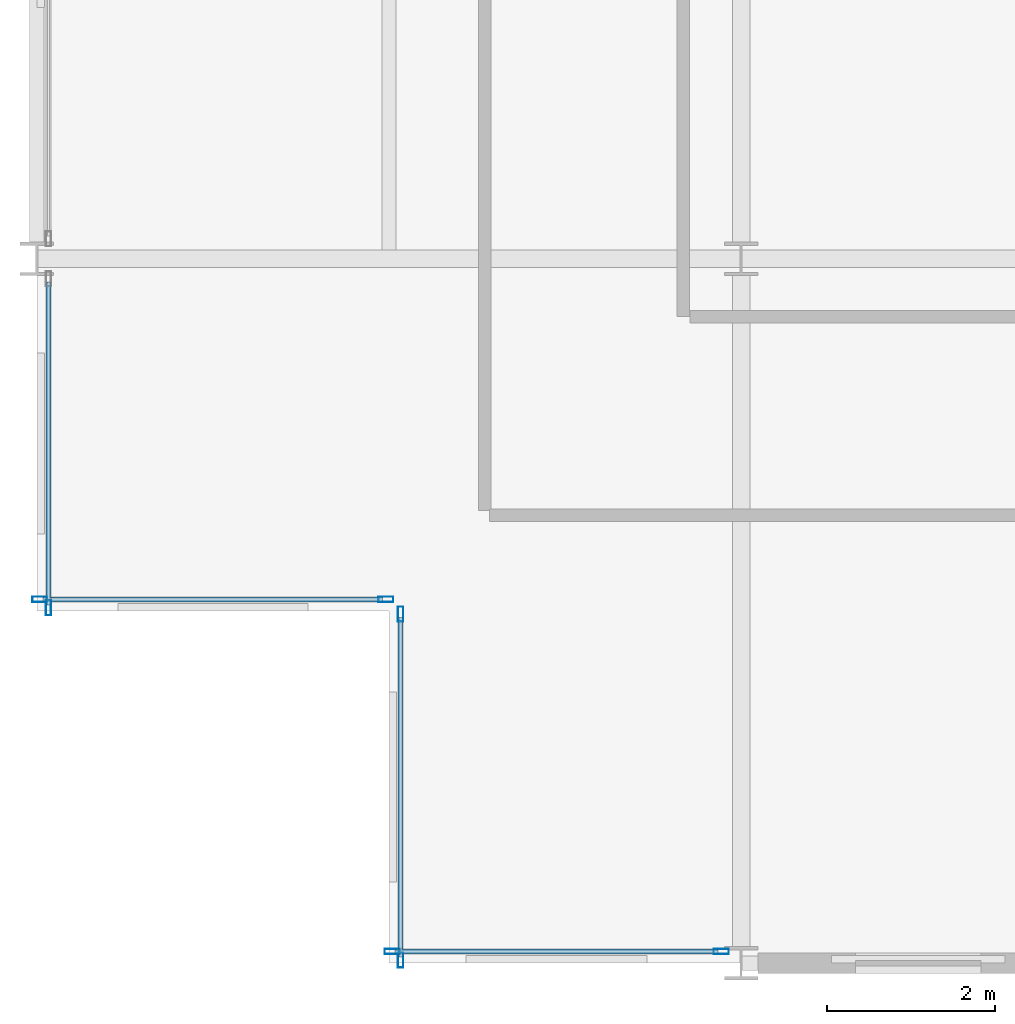
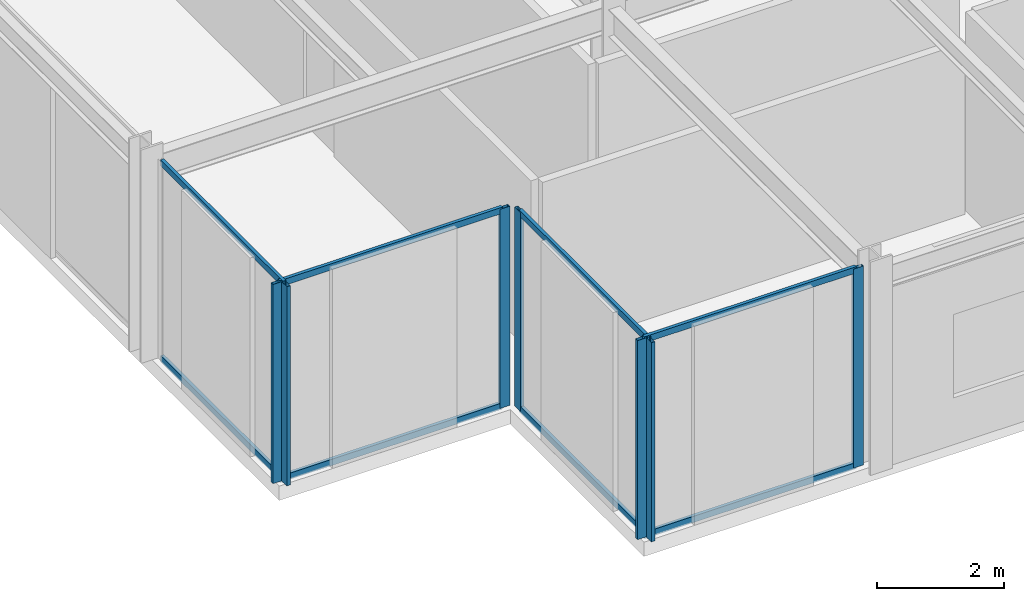
# One storey, part 2 of 29: 15 members, 4 elements without a shape of their own.
"""IFC4 building model written with IfcOpenShell, lengths in metres."""

import ifcopenshell
import ifcopenshell.guid

model = None  # the IFC model being written
_history = None  # IfcOwnerHistory: only IFC2X3 demands one
_inside = {}  # id of a spatial element -> (the spatial element, [elements in it])
_under = {}  # id of a project, library or spatial element -> (it, [spatial elements below it])
_declared = {}  # id of a project -> (the project, [libraries it declares])
_typed = {}  # id of a type object -> (the type object, [elements of that type])
_made_of = {}  # id of a material, layer set ... -> (it, [elements and type objects made of it])


def new_model(schema):
    """Start an empty IFC model of exactly this schema.

    Asked for "IFC4X3", IfcOpenShell would pick the latest addendum, in which some entities
    have other attributes; the version numbers below select the first issue.
    IFC2X3 requires an IfcOwnerHistory on every rooted entity: one is made here for all.
    """
    global model, _history
    if schema == "IFC4X3":
        model = ifcopenshell.file(schema_version=(4, 3, 0, 0))
    else:
        model = ifcopenshell.file(schema=schema)
    _inside.clear()
    _under.clear()
    _declared.clear()
    _typed.clear()
    _made_of.clear()
    _history = None
    if model.schema == "IFC2X3":
        org = make("IfcOrganization", Name="unknown")
        user = make(
            "IfcPersonAndOrganization",
            ThePerson=make("IfcPerson", FamilyName="unknown"),
            TheOrganization=org,
        )
        app = make(
            "IfcApplication",
            ApplicationDeveloper=org,
            Version="unknown",
            ApplicationFullName="unknown",
            ApplicationIdentifier="unknown",
        )
        _history = make(
            "IfcOwnerHistory",
            OwningUser=user,
            OwningApplication=app,
            ChangeAction="ADDED",
            CreationDate=0,
        )
    return model


def make(cls, **values):
    """One entity of the class cls with the attributes given. An attribute that is None is left unset."""
    return model.create_entity(
        cls, **{name: value for name, value in values.items() if value is not None}
    )


def rooted(cls, **values):
    """An entity with a GlobalId (a new one), such as an element, a storey or a relation."""
    return make(cls, GlobalId=ifcopenshell.guid.new(), OwnerHistory=_history, **values)


def si_unit(unit_type, name, prefix=None):
    """IfcSIUnit, for example si_unit("LENGTHUNIT", "METRE", prefix="MILLI")."""
    return make("IfcSIUnit", UnitType=unit_type, Prefix=prefix, Name=name)


def assignment(units):
    """IfcUnitAssignment: the units of a project."""
    return None if units is None else make("IfcUnitAssignment", Units=units)


def point(xyz):
    """IfcCartesianPoint."""
    return None if xyz is None else make("IfcCartesianPoint", Coordinates=xyz)


def direction(xyz):
    """IfcDirection."""
    return None if xyz is None else make("IfcDirection", DirectionRatios=xyz)


def frame(location, z_axis=None, x_axis=None):
    """IfcAxis2Placement3D, a coordinate frame: its origin and axes. An axis left out is left unset."""
    return make(
        "IfcAxis2Placement3D",
        Location=point(location),
        Axis=direction(z_axis),
        RefDirection=direction(x_axis),
    )


def frame_2d(location, x_axis=None):
    """IfcAxis2Placement2D, a coordinate frame in the plane: its origin and x axis."""
    return make(
        "IfcAxis2Placement2D", Location=point(location), RefDirection=direction(x_axis)
    )


def origin():
    """The frame at (0, 0, 0) with its axes left unset."""
    return frame((0.0, 0.0, 0.0))


def origin_2d():
    """The frame at (0, 0) in the plane with its x axis left unset."""
    return frame_2d((0.0, 0.0))


def place(relative_to, where):
    """IfcLocalPlacement: puts the frame where relative to a parent placement (None: the world)."""
    return make(
        "IfcLocalPlacement", PlacementRelTo=relative_to, RelativePlacement=where
    )


def context(
    kind, dimensions, precision=None, world=None, true_north=None, identifier=None
):
    """IfcGeometricRepresentationContext, for example the 3D "Model" context."""
    return make(
        "IfcGeometricRepresentationContext",
        ContextIdentifier=identifier,
        ContextType=kind,
        CoordinateSpaceDimension=dimensions,
        Precision=precision,
        WorldCoordinateSystem=world,
        TrueNorth=true_north,
    )


def subcontext(parent, identifier, kind, view, scale=None):
    """IfcGeometricRepresentationSubContext, for example "Body" below "Model"."""
    return make(
        "IfcGeometricRepresentationSubContext",
        ContextIdentifier=identifier,
        ContextType=kind,
        ParentContext=parent,
        TargetScale=scale,
        TargetView=view,
    )


def project(units=None, contexts=None):
    """IfcProject with its units and contexts."""
    return rooted(
        "IfcProject",
        Name="project",
        RepresentationContexts=contexts,
        UnitsInContext=assignment(units),
    )


def spatial(cls, under=None, at=None, **own):
    """A site, building, storey or space (cls), placed at a placement, below another one or the project."""
    s = rooted(cls, ObjectPlacement=at, **own)
    if under is not None:
        _under.setdefault(under.id(), (under, []))[1].append(s)
    return s


def profile(cls, at=None, kind="AREA", **sizes):
    """A parametric profile (cls). Its sizes go by their IFC names, for example OverallWidth=200.0."""
    return make(cls, ProfileType=kind, Position=at, **sizes)


def hollow_rectangle(**sizes):
    """IfcRectangleHollowProfileDef."""
    return profile("IfcRectangleHollowProfileDef", **sizes)


def extrude(swept, where, along, depth):
    """IfcExtrudedAreaSolid: the profile swept, set in the frame where, extruded along a direction by depth."""
    return make(
        "IfcExtrudedAreaSolid",
        SweptArea=swept,
        Position=where,
        ExtrudedDirection=direction(along),
        Depth=depth,
    )


def shape(context_of_items, identifier, shape_type, items):
    """IfcShapeRepresentation: the items that make up one representation, for example the "Body"."""
    return make(
        "IfcShapeRepresentation",
        ContextOfItems=context_of_items,
        RepresentationIdentifier=identifier,
        RepresentationType=shape_type,
        Items=items,
    )


def material(Name=None, Category=None):
    """IfcMaterial."""
    return make("IfcMaterial", Name=Name, Category=Category)


def layer(
    of_material, thickness, ventilated=None, Name=None, Category=None, Priority=None
):
    """IfcMaterialLayer: one layer of a wall or slab, of a material (None: an air gap)."""
    return make(
        "IfcMaterialLayer",
        Material=of_material,
        LayerThickness=thickness,
        IsVentilated=ventilated,
        Name=Name,
        Category=Category,
        Priority=Priority,
    )


def layer_set(layers, Name=None):
    """IfcMaterialLayerSet."""
    return make("IfcMaterialLayerSet", MaterialLayers=layers, LayerSetName=Name)


def material_profile(
    of_material, cross_section, Name=None, Category=None, Priority=None
):
    """IfcMaterialProfile: a cross section and its material."""
    return make(
        "IfcMaterialProfile",
        Name=Name,
        Material=of_material,
        Profile=cross_section,
        Priority=Priority,
        Category=Category,
    )


def profile_set(profiles, Name=None, composite=None):
    """IfcMaterialProfileSet."""
    return make(
        "IfcMaterialProfileSet",
        Name=Name,
        MaterialProfiles=profiles,
        CompositeProfile=composite,
    )


def made_of(thing, what):
    """Note that an element or type object is made of a material, layer set ...; save() writes the relation."""
    if what is not None:
        _made_of.setdefault(what.id(), (what, []))[1].append(thing)
    return thing


def type_object(cls, material=None, **own):
    """A type object (cls), such as IfcWallType, which elements share."""
    return made_of(rooted(cls, **own), material)


def element(
    cls,
    number,
    at=None,
    inside=None,
    cuts=None,
    type_object=None,
    material=None,
    context=None,
    identifier="Body",
    shape_type=None,
    held_by="IfcProductDefinitionShape",
    body=None,
    shapes=None,
    **own,
):
    """One element of the class cls, such as IfcWall. Its Tag is "e" and its number.

    at: its placement. inside: the storey or other place that contains it. cuts: it is an
    opening in that element (IfcRelVoidsElement). A single representation is given by context,
    identifier, shape_type and body (its items); several are given by shapes. held_by: the class
    of the entity that holds the representations. save() writes the other relations.
    """
    e = rooted(cls, Tag="e%d" % number, ObjectPlacement=at, **own)
    if body is not None:
        shapes = [shape(context, identifier, shape_type, body)]
    if shapes is not None:
        e.Representation = make(held_by, Representations=shapes)
    if inside is not None:
        _inside.setdefault(inside.id(), (inside, []))[1].append(e)
    if cuts is not None:
        rooted(
            "IfcRelVoidsElement", RelatingBuildingElement=cuts, RelatedOpeningElement=e
        )
    if type_object is not None:
        _typed.setdefault(type_object.id(), (type_object, []))[1].append(e)
    return made_of(e, material)


def aggregate(whole, parts):
    """IfcRelAggregates: a whole, such as a stair, and the parts it consists of."""
    return rooted("IfcRelAggregates", RelatingObject=whole, RelatedObjects=parts)


def save(model, path):
    """Write the relations noted so far, then the file.

    IfcRelAggregates (storeys below a building ...), IfcRelContainedInSpatialStructure (elements
    in a storey), IfcRelDefinesByType, IfcRelAssociatesMaterial and IfcRelDeclares: one each for
    every whole, place, type object, material and project.
    """
    for whole, parts in _under.values():
        aggregate(whole, parts)
    for where, things in _inside.values():
        rooted(
            "IfcRelContainedInSpatialStructure",
            RelatedElements=things,
            RelatingStructure=where,
        )
    for kind, things in _typed.values():
        rooted("IfcRelDefinesByType", RelatedObjects=things, RelatingType=kind)
    for what, things in _made_of.values():
        rooted("IfcRelAssociatesMaterial", RelatedObjects=things, RelatingMaterial=what)
    for by, libraries in _declared.values():
        rooted("IfcRelDeclares", RelatingContext=by, RelatedDefinitions=libraries)
    model.write(path)


model = new_model("IFC4")

# Units and contexts
model_context = context("Model", 3, precision=1e-05, world=origin(), true_north=direction((0.0, 1.0)))
body_context = subcontext(model_context, "Body", "Model", "MODEL_VIEW")
ifc_project = project(units=[si_unit("LENGTHUNIT", "METRE"), si_unit("AREAUNIT", "SQUARE_METRE"), si_unit("VOLUMEUNIT", "CUBIC_METRE"), si_unit("PLANEANGLEUNIT", "RADIAN"), si_unit("MASSUNIT", "GRAM", prefix="KILO")], contexts=[model_context])

# Site, building, storey
site_placement = place(None, origin())
site = spatial("IfcSite", under=ifc_project, at=site_placement, CompositionType="ELEMENT")
building_placement = place(site_placement, origin())
building = spatial("IfcBuilding", under=site, at=building_placement, Name="Nerrivon Quay Data Exchange", CompositionType="ELEMENT")
storey_placement = place(building_placement, frame((0.0, 0.0, 121.300048828125)))
storey = spatial("IfcBuildingStorey", under=building, at=storey_placement, Name="L28", CompositionType="ELEMENT", Elevation=121.300048828125)

# Curtain wall, members
ifc_material = material(Name="Anodised aluminium 6063-T6", Category="aluminium")
ifc_layer = layer(ifc_material, 0.2099609375)
ifc_layer_set = layer_set([ifc_layer], Name="Anodised aluminium 6063-T6")
curtain_wall_type = type_object("IfcCurtainWallType", Name="CW-SYS-02", PredefinedType="NOTDEFINED", material=ifc_layer_set)
curtain_wall_1_placement = place(storey_placement, origin())
curtain_wall_1 = element("IfcCurtainWall", 1, at=curtain_wall_1_placement, inside=storey, type_object=curtain_wall_type, Name="L28 Unitised Curtain Wall 8", PredefinedType="NOTDEFINED")
ifc_material_profile_1 = material_profile(ifc_material, hollow_rectangle(XDim=0.06494140625, YDim=0.179931640625, WallThickness=0.00341796875, at=origin_2d()), Name="ALU-MULL-180x65")
ifc_profile_set_1 = profile_set([ifc_material_profile_1], Name="Anodised aluminium 6063-T6")
member_type_1 = type_object("IfcMemberType", Name="CWM-180x65", PredefinedType="MULLION", material=ifc_profile_set_1)
member_1_placement = place(storey_placement, frame((8.16259765625, 0.139892578125, 0.0), z_axis=(0.0, 0.0, 1.0), x_axis=(0.0, -1.0, 0.0)))
member_1 = element("IfcMember", 2, at=member_1_placement, type_object=member_type_1, Name="CW02 mullion 1", PredefinedType="MULLION", context=body_context, shape_type="SweptSolid", body=[
    extrude(hollow_rectangle(XDim=0.06494140625, YDim=0.179931640625, WallThickness=0.00341796875, at=origin_2d()), origin(), (0.0, 0.0, 1.0), 3.824951171875),
])
member_2_placement = place(storey_placement, frame((4.237548828125, 0.139892578125, 0.0), z_axis=(0.0, 0.0, 1.0), x_axis=(0.0, -1.0, 0.0)))
member_2 = element("IfcMember", 3, at=member_2_placement, type_object=member_type_1, Name="CW02 mullion 2", PredefinedType="MULLION", context=body_context, shape_type="SweptSolid", body=[
    extrude(hollow_rectangle(XDim=0.06494140625, YDim=0.179931640625, WallThickness=0.00341796875, at=origin_2d()), origin(), (0.0, 0.0, 1.0), 3.824951171875),
])

curtain_wall_2_placement = place(storey_placement, origin())
curtain_wall_2 = element("IfcCurtainWall", 4, at=curtain_wall_2_placement, inside=storey, type_object=curtain_wall_type, Name="L28 Unitised Curtain Wall 9", PredefinedType="NOTDEFINED")
member_3_placement = place(storey_placement, frame((4.340087890625, 0.03759765625, 0.0), z_axis=(0.0, 0.0, 1.0), x_axis=(-1.0, 0.0, 0.0)))
member_3 = element("IfcMember", 5, at=member_3_placement, type_object=member_type_1, Name="CW02 mullion 1", PredefinedType="MULLION", context=body_context, shape_type="SweptSolid", body=[
    extrude(hollow_rectangle(XDim=0.06494140625, YDim=0.179931640625, WallThickness=0.00341796875, at=origin_2d()), origin(), (0.0, 0.0, 1.0), 3.824951171875),
])
member_4_placement = place(storey_placement, frame((4.340087890625, 4.16259765625, 0.0), z_axis=(0.0, 0.0, 1.0), x_axis=(-1.0, 0.0, 0.0)))
member_4 = element("IfcMember", 6, at=member_4_placement, type_object=member_type_1, Name="CW02 mullion 2", PredefinedType="MULLION", context=body_context, shape_type="SweptSolid", body=[
    extrude(hollow_rectangle(XDim=0.06494140625, YDim=0.179931640625, WallThickness=0.00341796875, at=origin_2d()), origin(), (0.0, 0.0, 1.0), 3.824951171875),
])

curtain_wall_3_placement = place(storey_placement, origin())
curtain_wall_3 = element("IfcCurtainWall", 7, at=curtain_wall_3_placement, inside=storey, type_object=curtain_wall_type, Name="L28 Unitised Curtain Wall 10", PredefinedType="NOTDEFINED")
member_5_placement = place(storey_placement, frame((4.16259765625, 4.340087890625, 0.0), z_axis=(0.0, 0.0, 1.0), x_axis=(0.0, -1.0, 0.0)))
member_5 = element("IfcMember", 8, at=member_5_placement, type_object=member_type_1, Name="CW02 mullion 1", PredefinedType="MULLION", context=body_context, shape_type="SweptSolid", body=[
    extrude(hollow_rectangle(XDim=0.06494140625, YDim=0.179931640625, WallThickness=0.00341796875, at=origin_2d()), origin(), (0.0, 0.0, 1.0), 3.824951171875),
])
member_6_placement = place(storey_placement, frame((0.03759765625, 4.340087890625, 0.0), z_axis=(0.0, 0.0, 1.0), x_axis=(0.0, -1.0, 0.0)))
member_6 = element("IfcMember", 9, at=member_6_placement, type_object=member_type_1, Name="CW02 mullion 2", PredefinedType="MULLION", context=body_context, shape_type="SweptSolid", body=[
    extrude(hollow_rectangle(XDim=0.06494140625, YDim=0.179931640625, WallThickness=0.00341796875, at=origin_2d()), origin(), (0.0, 0.0, 1.0), 3.824951171875),
])

# Curtain wall, member
curtain_wall_4_placement = place(storey_placement, origin())
curtain_wall_4 = element("IfcCurtainWall", 10, at=curtain_wall_4_placement, inside=storey, type_object=curtain_wall_type, Name="L28 Unitised Curtain Wall 11", PredefinedType="NOTDEFINED")
member_7_placement = place(storey_placement, frame((0.139892578125, 4.237548828125, 0.0), z_axis=(0.0, 0.0, 1.0), x_axis=(-1.0, 0.0, 0.0)))
member_7 = element("IfcMember", 11, at=member_7_placement, type_object=member_type_1, Name="CW02 mullion 1", PredefinedType="MULLION", context=body_context, shape_type="SweptSolid", body=[
    extrude(hollow_rectangle(XDim=0.06494140625, YDim=0.179931640625, WallThickness=0.00341796875, at=origin_2d()), origin(), (0.0, 0.0, 1.0), 3.824951171875),
])

# Member
ifc_material_profile_2 = material_profile(ifc_material, hollow_rectangle(XDim=0.06005859375, YDim=0.1201171875, WallThickness=0.003173828125, at=origin_2d()), Name="ALU-TRAN-120x60")
ifc_profile_set_2 = profile_set([ifc_material_profile_2], Name="Anodised aluminium 6063-T6")
member_type_2 = type_object("IfcMemberType", Name="CWT-120x60", PredefinedType="USERDEFINED", material=ifc_profile_set_2)
member_8_placement = place(storey_placement, frame((8.125, 0.139892578125, 0.032470703125), z_axis=(-1.0, 0.0, 0.0), x_axis=(0.0, -1.0, 0.0)))
member_8 = element("IfcMember", 12, at=member_8_placement, type_object=member_type_2, Name="CW02 transom 1.1", ObjectType="TRANSOM", PredefinedType="USERDEFINED", context=body_context, shape_type="SweptSolid", body=[
    extrude(hollow_rectangle(XDim=0.06005859375, YDim=0.1201171875, WallThickness=0.003173828125, at=origin_2d()), origin(), (0.0, 0.0, 1.0), 3.85009765625),
])

member_9_placement = place(storey_placement, frame((8.125, 0.139892578125, 3.79248046875), z_axis=(-1.0, 0.0, 0.0), x_axis=(0.0, -1.0, 0.0)))
member_9 = element("IfcMember", 13, at=member_9_placement, type_object=member_type_2, Name="CW02 transom 1.2", ObjectType="TRANSOM", PredefinedType="USERDEFINED", context=body_context, shape_type="SweptSolid", body=[
    extrude(hollow_rectangle(XDim=0.06005859375, YDim=0.1201171875, WallThickness=0.003173828125, at=origin_2d()), origin(), (0.0, 0.0, 1.0), 3.85009765625),
])

aggregate(curtain_wall_1, [member_1, member_2, member_8, member_9])

member_10_placement = place(storey_placement, frame((4.340087890625, 0.074951171875, 0.032470703125), z_axis=(0.0, 1.0, 0.0), x_axis=(-1.0, 0.0, 0.0)))
member_10 = element("IfcMember", 14, at=member_10_placement, type_object=member_type_2, Name="CW02 transom 1.1", ObjectType="TRANSOM", PredefinedType="USERDEFINED", context=body_context, shape_type="SweptSolid", body=[
    extrude(hollow_rectangle(XDim=0.06005859375, YDim=0.1201171875, WallThickness=0.003173828125, at=origin_2d()), origin(), (0.0, 0.0, 1.0), 4.050048828125),
])

member_11_placement = place(storey_placement, frame((4.340087890625, 0.074951171875, 3.79248046875), z_axis=(0.0, 1.0, 0.0), x_axis=(-1.0, 0.0, 0.0)))
member_11 = element("IfcMember", 15, at=member_11_placement, type_object=member_type_2, Name="CW02 transom 1.2", ObjectType="TRANSOM", PredefinedType="USERDEFINED", context=body_context, shape_type="SweptSolid", body=[
    extrude(hollow_rectangle(XDim=0.06005859375, YDim=0.1201171875, WallThickness=0.003173828125, at=origin_2d()), origin(), (0.0, 0.0, 1.0), 4.050048828125),
])

aggregate(curtain_wall_2, [member_3, member_4, member_10, member_11])

member_12_placement = place(storey_placement, frame((4.125, 4.340087890625, 0.032470703125), z_axis=(-1.0, 0.0, 0.0), x_axis=(0.0, -1.0, 0.0)))
member_12 = element("IfcMember", 16, at=member_12_placement, type_object=member_type_2, Name="CW02 transom 1.1", ObjectType="TRANSOM", PredefinedType="USERDEFINED", context=body_context, shape_type="SweptSolid", body=[
    extrude(hollow_rectangle(XDim=0.06005859375, YDim=0.1201171875, WallThickness=0.003173828125, at=origin_2d()), origin(), (0.0, 0.0, 1.0), 4.050048828125),
])

member_13_placement = place(storey_placement, frame((4.125, 4.340087890625, 3.79248046875), z_axis=(-1.0, 0.0, 0.0), x_axis=(0.0, -1.0, 0.0)))
member_13 = element("IfcMember", 17, at=member_13_placement, type_object=member_type_2, Name="CW02 transom 1.2", ObjectType="TRANSOM", PredefinedType="USERDEFINED", context=body_context, shape_type="SweptSolid", body=[
    extrude(hollow_rectangle(XDim=0.06005859375, YDim=0.1201171875, WallThickness=0.003173828125, at=origin_2d()), origin(), (0.0, 0.0, 1.0), 4.050048828125),
])

aggregate(curtain_wall_3, [member_5, member_6, member_12, member_13])

member_14_placement = place(storey_placement, frame((0.139892578125, 4.27490234375, 0.032470703125), z_axis=(0.0, 1.0, 0.0), x_axis=(-1.0, 0.0, 0.0)))
member_14 = element("IfcMember", 18, at=member_14_placement, type_object=member_type_2, Name="CW02 transom 1.1", ObjectType="TRANSOM", PredefinedType="USERDEFINED", context=body_context, shape_type="SweptSolid", body=[
    extrude(hollow_rectangle(XDim=0.06005859375, YDim=0.1201171875, WallThickness=0.003173828125, at=origin_2d()), origin(), (0.0, 0.0, 1.0), 3.85009765625),
])

member_15_placement = place(storey_placement, frame((0.139892578125, 4.27490234375, 3.79248046875), z_axis=(0.0, 1.0, 0.0), x_axis=(-1.0, 0.0, 0.0)))
member_15 = element("IfcMember", 19, at=member_15_placement, type_object=member_type_2, Name="CW02 transom 1.2", ObjectType="TRANSOM", PredefinedType="USERDEFINED", context=body_context, shape_type="SweptSolid", body=[
    extrude(hollow_rectangle(XDim=0.06005859375, YDim=0.1201171875, WallThickness=0.003173828125, at=origin_2d()), origin(), (0.0, 0.0, 1.0), 3.85009765625),
])

aggregate(curtain_wall_4, [member_7, member_14, member_15])

save(model, "model.ifc")
